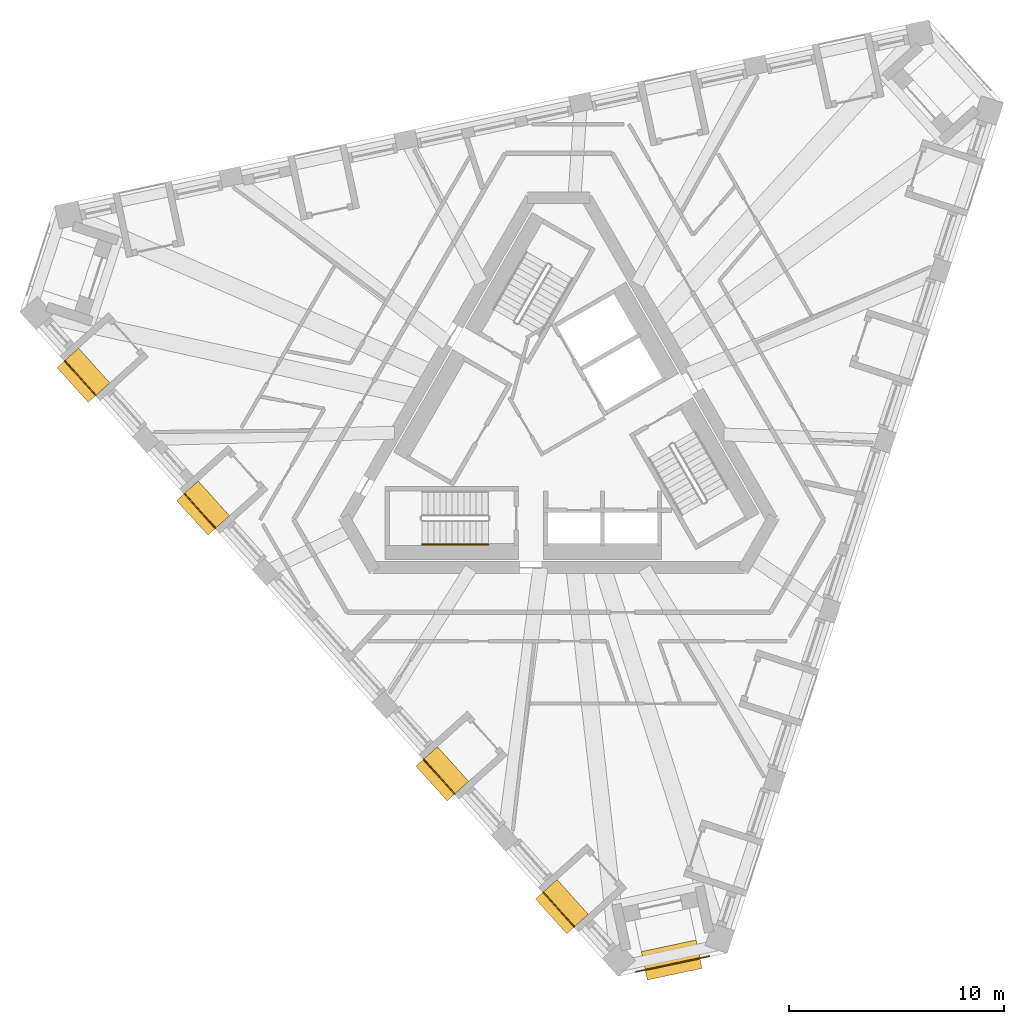
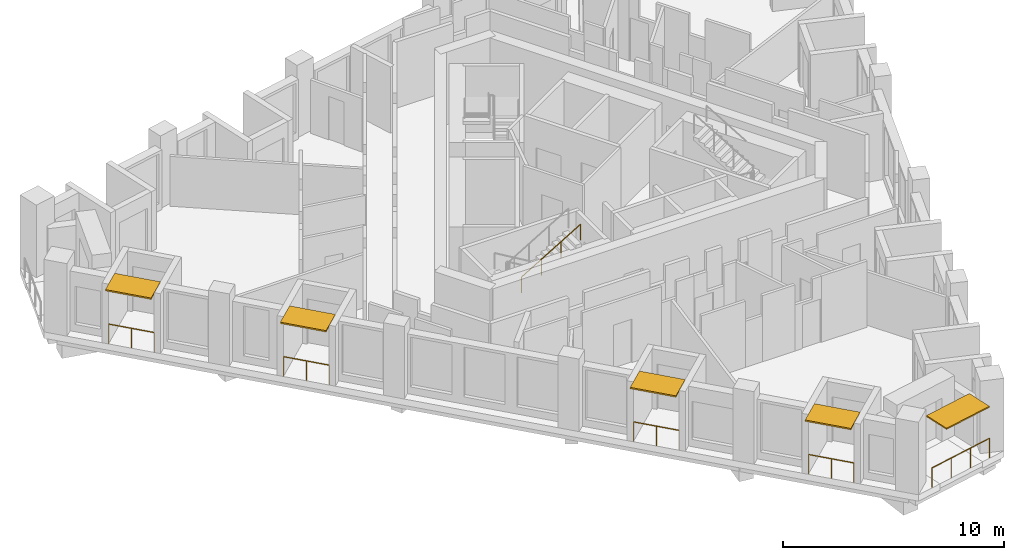
# One storey, part 10 of 13: 6 railings, 5 shading devices.
"""IFC4 building model written with IfcOpenShell, lengths in metres."""

from ifc_helpers import new_model, si_unit, direction, frame, origin, origin_2d, place, context, subcontext, project, spatial, rectangle, circle, extrude, material, layer, layer_set, type_object, element, save


model = new_model("IFC4")

# Units and contexts
model_context = context("Model", 3, precision=1e-05, world=origin(), true_north=direction((0.0, 1.0)))
body_context = subcontext(model_context, "Body", "Model", "MODEL_VIEW")
ifc_project = project(units=[si_unit("LENGTHUNIT", "METRE"), si_unit("AREAUNIT", "SQUARE_METRE"), si_unit("VOLUMEUNIT", "CUBIC_METRE"), si_unit("PLANEANGLEUNIT", "RADIAN"), si_unit("MASSUNIT", "GRAM", prefix="KILO")], contexts=[model_context])

# Site, building, storey
site_placement = place(None, origin())
site = spatial("IfcSite", under=ifc_project, at=site_placement, CompositionType="ELEMENT")
building_placement = place(site_placement, origin())
building = spatial("IfcBuilding", under=site, at=building_placement, Name="Tramontana Tower", CompositionType="ELEMENT")
storey_placement = place(building_placement, frame((0.0, 0.0, 328.39990234375)))
storey = spatial("IfcBuildingStorey", under=building, at=storey_placement, Name="L75", CompositionType="ELEMENT", Elevation=328.39990234375)

# Railings
ifc_material_1 = material(Name="Laminated glass balustrade", Category="glass")
railing_type_1 = type_object("IfcRailingType", Name="GD1 Loggia glass balustrade 1100", PredefinedType="BALUSTRADE", material=ifc_material_1)
railing_1_placement = place(storey_placement, frame((-22.977294921875, 3.146728515625, 0.0)))
element("IfcRailing", 1, at=railing_1_placement, inside=storey, type_object=railing_type_1, Name="Loggia balustrade L75 G8S0.1", PredefinedType="BALUSTRADE", context=body_context, shape_type="SweptSolid", body=[
    extrude(circle(Radius=0.02392578125, at=origin_2d()), frame((0.0, 0.0, 1.076171875), z_axis=(0.669082765552, -0.743187898745, 0.0), x_axis=(0.743187898745, 0.669082765552, 0.0)), (0.0, 0.0, 1.0), 2.171142578125),
    extrude(circle(Radius=0.02099609375, at=origin_2d()), origin(), (0.0, 0.0, 1.0), 1.052001953125),
    extrude(circle(Radius=0.02099609375, at=origin_2d()), frame((0.726318359375, -0.806640625, 0.0)), (0.0, 0.0, 1.0), 1.052001953125),
    extrude(circle(Radius=0.02099609375, at=origin_2d()), frame((1.45263671875, -1.613525390625, 0.0)), (0.0, 0.0, 1.0), 1.052001953125),
])
for number, where, name in (
    (2, (-17.414306640625, -3.03173828125, 0.0), "Loggia balustrade L75 G8S0.4"),
    (3, (-6.288330078125, -15.388427734375, 0.0), "Loggia balustrade L75 G8S0.10"),
):
    element("IfcRailing", number, at=place(storey_placement, frame(where)), inside=storey, type_object=railing_type_1, Name=name, PredefinedType="BALUSTRADE", context=body_context, shape_type="SweptSolid", body=[
        extrude(circle(Radius=0.02392578125, at=origin_2d()), frame((0.0, 0.0, 1.076171875), z_axis=(0.669144868344, -0.743131983681, 0.0), x_axis=(0.743131983681, 0.669144868344, 0.0)), (0.0, 0.0, 1.0), 2.171142578125),
        extrude(circle(Radius=0.02099609375, at=origin_2d()), origin(), (0.0, 0.0, 1.0), 1.052001953125),
        extrude(circle(Radius=0.02099609375, at=origin_2d()), frame((0.7265625, -0.806640625, 0.0)), (0.0, 0.0, 1.0), 1.052001953125),
        extrude(circle(Radius=0.02099609375, at=origin_2d()), frame((1.452880859375, -1.613525390625, 0.0)), (0.0, 0.0, 1.0), 1.052001953125),
    ])
railing_2_placement = place(storey_placement, frame((-0.72509765625, -21.56689453125, 0.0)))
element("IfcRailing", 4, at=railing_2_placement, inside=storey, type_object=railing_type_1, Name="Loggia balustrade L75 G8S0.13", PredefinedType="BALUSTRADE", context=body_context, shape_type="SweptSolid", body=[
    extrude(circle(Radius=0.02392578125, at=origin_2d()), frame((0.0, 0.0, 1.076171875), z_axis=(0.669082765552, -0.743187898745, 0.0), x_axis=(0.743187898745, 0.669082765552, 0.0)), (0.0, 0.0, 1.0), 2.171142578125),
    extrude(circle(Radius=0.02099609375, at=origin_2d()), origin(), (0.0, 0.0, 1.0), 1.052001953125),
    extrude(circle(Radius=0.02099609375, at=origin_2d()), frame((0.726318359375, -0.806640625, 0.0)), (0.0, 0.0, 1.0), 1.052001953125),
    extrude(circle(Radius=0.02099609375, at=origin_2d()), frame((1.45263671875, -1.613525390625, 0.0)), (0.0, 0.0, 1.0), 1.052001953125),
])
railing_3_placement = place(storey_placement, frame((7.00732421875, -24.549560546875, 0.0)))
element("IfcRailing", 5, at=railing_3_placement, inside=storey, type_object=railing_type_1, Name="Corner loggia balustrade L75 K81", PredefinedType="BALUSTRADE", context=body_context, shape_type="SweptSolid", body=[
    extrude(circle(Radius=0.02392578125, at=origin_2d()), frame((0.0, 0.0, 1.076171875), z_axis=(-0.978143070564, -0.20793300245, 0.0), x_axis=(0.20793300245, -0.978143070564, 0.0)), (0.0, 0.0, 1.0), 3.5),
    extrude(circle(Radius=0.02099609375, at=origin_2d()), origin(), (0.0, 0.0, 1.0), 1.052001953125),
    extrude(circle(Radius=0.02099609375, at=origin_2d()), frame((-1.14111328125, -0.24267578125, 0.0)), (0.0, 0.0, 1.0), 1.052001953125),
    extrude(circle(Radius=0.02099609375, at=origin_2d()), frame((-2.282470703125, -0.485107421875, 0.0)), (0.0, 0.0, 1.0), 1.052001953125),
    extrude(circle(Radius=0.02099609375, at=origin_2d()), frame((-3.423583984375, -0.727783203125, 0.0)), (0.0, 0.0, 1.0), 1.052001953125),
])

# Shading devices
ifc_material_2 = material(Name="Precast concrete 60 MPa", Category="concrete")
ifc_layer_1 = layer(ifc_material_2, 0.070068359375)
ifc_layer_set_1 = layer_set([ifc_layer_1], Name="SS2 Stone sunshade blade 70")
shading_device_type_1 = type_object("IfcShadingDeviceType", Name="SS2 Stone sunshade blade 70", PredefinedType="USERDEFINED", material=ifc_layer_set_1)
shading_device_placement = place(storey_placement, frame((5.2548828125, -24.72265625, 3.22998046875), z_axis=(0.0, 0.0, 1.0), x_axis=(-0.978147600734, -0.207911690818, 0.0)))
element("IfcShadingDevice", 6, at=shading_device_placement, inside=storey, type_object=shading_device_type_1, Name="Corner sunshade L75 K81", ObjectType="SUNSHADE", PredefinedType="USERDEFINED", context=body_context, shape_type="SweptSolid", body=[
    extrude(rectangle(XDim=2.60009765625, YDim=1.35009765625, at=origin_2d()), origin(), (0.0, 0.0, 1.0), 0.070068359375),
])
ifc_material_3 = material(Name="Precast concrete 60 MPa", Category="concrete")
ifc_layer_2 = layer(ifc_material_3, 0.080078125)
ifc_layer_set_2 = layer_set([ifc_layer_2], Name="SS3 Stone sunshade blade 80")
shading_device_type_2 = type_object("IfcShadingDeviceType", Name="SS3 Stone sunshade blade 80", PredefinedType="USERDEFINED", material=ifc_layer_set_2)
for number, where, z_axis, x_axis, name in (
    (7, (-22.10595703125, 2.470458984375, 3.219970703125), (0.0, 0.0, 1.0), (0.669130606359, -0.743144825477, 0.0), "Sunshade L75 G8S0.1"),
    (8, (-16.54296875, -3.7080078125, 3.219970703125), (0.0, 0.0, 1.0), (0.669130606359, -0.743144825477, 0.0), "Sunshade L75 G8S0.4"),
    (9, (-5.4169921875, -16.064697265625, 3.219970703125), (0.0, 0.0, 1.0), (0.669130606359, -0.743144825477, 0.0), "Sunshade L75 G8S0.10"),
    (10, (0.146240234375, -22.2431640625, 3.219970703125), (0.0, 0.0, 1.0), (0.669130606359, -0.743144825477, 0.0), "Sunshade L75 G8S0.13"),
):
    element("IfcShadingDevice", number, at=place(storey_placement, frame(where, z_axis=z_axis, x_axis=x_axis)), inside=storey, type_object=shading_device_type_2, Name=name, ObjectType="SUNSHADE", PredefinedType="USERDEFINED", context=body_context, shape_type="SweptSolid", body=[
        extrude(rectangle(XDim=2.17138671875, YDim=1.35009765625, at=origin_2d()), origin(), (0.0, 0.0, 1.0), 0.080078125),
    ])

# Railing
ifc_material_4 = material(Name="Painted steel", Category="steel")
railing_type_2 = type_object("IfcRailingType", Name="STAIR HANDRAIL 900", PredefinedType="HANDRAIL", material=ifc_material_4)
railing_4_placement = place(storey_placement, frame((-6.360107421875, -5.39990234375, 2.166748046875)))
element("IfcRailing", 11, at=railing_4_placement, inside=storey, type_object=railing_type_2, Name="L75 ST2 stair handrail 2", PredefinedType="HANDRAIL", context=body_context, shape_type="SweptSolid", body=[
    extrude(circle(Radius=0.02392578125, at=origin_2d()), frame((0.0, 0.0, 0.8759765625), z_axis=(0.859308565015, 0.0, 0.511457515432), x_axis=(0.0, 1.0, 0.0)), (0.0, 0.0, 1.0), 3.58447265625),
    extrude(circle(Radius=0.02099609375, at=origin_2d()), origin(), (0.0, 0.0, 1.0), 0.851806640625),
    extrude(circle(Radius=0.02099609375, at=origin_2d()), frame((1.026611328125, 0.0, 0.611083984375)), (0.0, 0.0, 1.0), 0.851806640625),
    extrude(circle(Radius=0.02099609375, at=origin_2d()), frame((2.053466796875, 0.0, 1.22216796875)), (0.0, 0.0, 1.0), 0.851806640625),
    extrude(circle(Radius=0.02099609375, at=origin_2d()), frame((3.080078125, 0.0, 1.833251953125)), (0.0, 0.0, 1.0), 0.851806640625),
])

save(model, "model.ifc")
